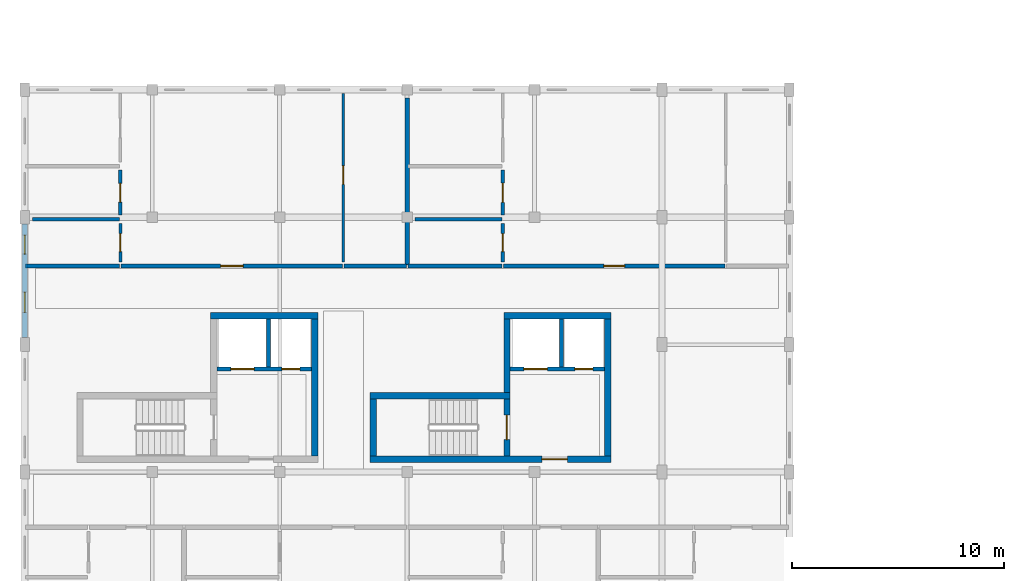
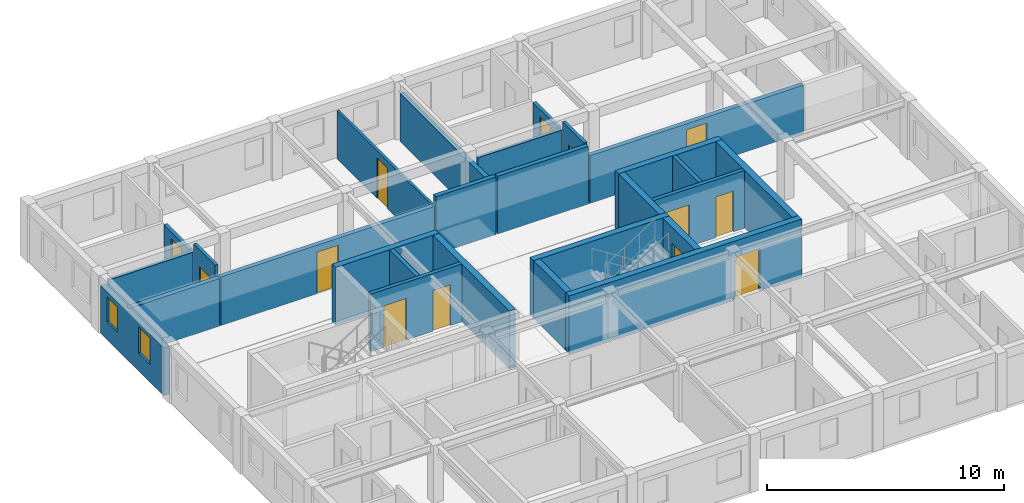
# One storey, part 6 of 23: 27 walls, 13 doors, 2 windows, 15 openings.
"""IFC4 building model written with IfcOpenShell, lengths in metres."""

import ifcopenshell
import ifcopenshell.guid

model = None  # the IFC model being written
_history = None  # IfcOwnerHistory: only IFC2X3 demands one
_inside = {}  # id of a spatial element -> (the spatial element, [elements in it])
_under = {}  # id of a project, library or spatial element -> (it, [spatial elements below it])
_declared = {}  # id of a project -> (the project, [libraries it declares])
_typed = {}  # id of a type object -> (the type object, [elements of that type])
_made_of = {}  # id of a material, layer set ... -> (it, [elements and type objects made of it])


def new_model(schema):
    """Start an empty IFC model of exactly this schema.

    Asked for "IFC4X3", IfcOpenShell would pick the latest addendum, in which some entities
    have other attributes; the version numbers below select the first issue.
    IFC2X3 requires an IfcOwnerHistory on every rooted entity: one is made here for all.
    """
    global model, _history
    if schema == "IFC4X3":
        model = ifcopenshell.file(schema_version=(4, 3, 0, 0))
    else:
        model = ifcopenshell.file(schema=schema)
    _inside.clear()
    _under.clear()
    _declared.clear()
    _typed.clear()
    _made_of.clear()
    _history = None
    if model.schema == "IFC2X3":
        org = make("IfcOrganization", Name="unknown")
        user = make(
            "IfcPersonAndOrganization",
            ThePerson=make("IfcPerson", FamilyName="unknown"),
            TheOrganization=org,
        )
        app = make(
            "IfcApplication",
            ApplicationDeveloper=org,
            Version="unknown",
            ApplicationFullName="unknown",
            ApplicationIdentifier="unknown",
        )
        _history = make(
            "IfcOwnerHistory",
            OwningUser=user,
            OwningApplication=app,
            ChangeAction="ADDED",
            CreationDate=0,
        )
    return model


def make(cls, **values):
    """One entity of the class cls with the attributes given. An attribute that is None is left unset."""
    return model.create_entity(
        cls, **{name: value for name, value in values.items() if value is not None}
    )


def rooted(cls, **values):
    """An entity with a GlobalId (a new one), such as an element, a storey or a relation."""
    return make(cls, GlobalId=ifcopenshell.guid.new(), OwnerHistory=_history, **values)


def si_unit(unit_type, name, prefix=None):
    """IfcSIUnit, for example si_unit("LENGTHUNIT", "METRE", prefix="MILLI")."""
    return make("IfcSIUnit", UnitType=unit_type, Prefix=prefix, Name=name)


def assignment(units):
    """IfcUnitAssignment: the units of a project."""
    return None if units is None else make("IfcUnitAssignment", Units=units)


def point(xyz):
    """IfcCartesianPoint."""
    return None if xyz is None else make("IfcCartesianPoint", Coordinates=xyz)


def direction(xyz):
    """IfcDirection."""
    return None if xyz is None else make("IfcDirection", DirectionRatios=xyz)


def frame(location, z_axis=None, x_axis=None):
    """IfcAxis2Placement3D, a coordinate frame: its origin and axes. An axis left out is left unset."""
    return make(
        "IfcAxis2Placement3D",
        Location=point(location),
        Axis=direction(z_axis),
        RefDirection=direction(x_axis),
    )


def frame_2d(location, x_axis=None):
    """IfcAxis2Placement2D, a coordinate frame in the plane: its origin and x axis."""
    return make(
        "IfcAxis2Placement2D", Location=point(location), RefDirection=direction(x_axis)
    )


def origin():
    """The frame at (0, 0, 0) with its axes left unset."""
    return frame((0.0, 0.0, 0.0))


def place(relative_to, where):
    """IfcLocalPlacement: puts the frame where relative to a parent placement (None: the world)."""
    return make(
        "IfcLocalPlacement", PlacementRelTo=relative_to, RelativePlacement=where
    )


def context(
    kind, dimensions, precision=None, world=None, true_north=None, identifier=None
):
    """IfcGeometricRepresentationContext, for example the 3D "Model" context."""
    return make(
        "IfcGeometricRepresentationContext",
        ContextIdentifier=identifier,
        ContextType=kind,
        CoordinateSpaceDimension=dimensions,
        Precision=precision,
        WorldCoordinateSystem=world,
        TrueNorth=true_north,
    )


def subcontext(parent, identifier, kind, view, scale=None):
    """IfcGeometricRepresentationSubContext, for example "Body" below "Model"."""
    return make(
        "IfcGeometricRepresentationSubContext",
        ContextIdentifier=identifier,
        ContextType=kind,
        ParentContext=parent,
        TargetScale=scale,
        TargetView=view,
    )


def project(units=None, contexts=None):
    """IfcProject with its units and contexts."""
    return rooted(
        "IfcProject",
        Name="project",
        RepresentationContexts=contexts,
        UnitsInContext=assignment(units),
    )


def spatial(cls, under=None, at=None, **own):
    """A site, building, storey or space (cls), placed at a placement, below another one or the project."""
    s = rooted(cls, ObjectPlacement=at, **own)
    if under is not None:
        _under.setdefault(under.id(), (under, []))[1].append(s)
    return s


def profile(cls, at=None, kind="AREA", **sizes):
    """A parametric profile (cls). Its sizes go by their IFC names, for example OverallWidth=200.0."""
    return make(cls, ProfileType=kind, Position=at, **sizes)


def rectangle(**sizes):
    """IfcRectangleProfileDef."""
    return profile("IfcRectangleProfileDef", **sizes)


def extrude(swept, where, along, depth):
    """IfcExtrudedAreaSolid: the profile swept, set in the frame where, extruded along a direction by depth."""
    return make(
        "IfcExtrudedAreaSolid",
        SweptArea=swept,
        Position=where,
        ExtrudedDirection=direction(along),
        Depth=depth,
    )


def shape(context_of_items, identifier, shape_type, items):
    """IfcShapeRepresentation: the items that make up one representation, for example the "Body"."""
    return make(
        "IfcShapeRepresentation",
        ContextOfItems=context_of_items,
        RepresentationIdentifier=identifier,
        RepresentationType=shape_type,
        Items=items,
    )


def material(Name=None, Category=None):
    """IfcMaterial."""
    return make("IfcMaterial", Name=Name, Category=Category)


def layer(
    of_material, thickness, ventilated=None, Name=None, Category=None, Priority=None
):
    """IfcMaterialLayer: one layer of a wall or slab, of a material (None: an air gap)."""
    return make(
        "IfcMaterialLayer",
        Material=of_material,
        LayerThickness=thickness,
        IsVentilated=ventilated,
        Name=Name,
        Category=Category,
        Priority=Priority,
    )


def layer_set(layers, Name=None):
    """IfcMaterialLayerSet."""
    return make("IfcMaterialLayerSet", MaterialLayers=layers, LayerSetName=Name)


def made_of(thing, what):
    """Note that an element or type object is made of a material, layer set ...; save() writes the relation."""
    if what is not None:
        _made_of.setdefault(what.id(), (what, []))[1].append(thing)
    return thing


def type_object(cls, material=None, **own):
    """A type object (cls), such as IfcWallType, which elements share."""
    return made_of(rooted(cls, **own), material)


def element(
    cls,
    number,
    at=None,
    inside=None,
    cuts=None,
    type_object=None,
    material=None,
    context=None,
    identifier="Body",
    shape_type=None,
    held_by="IfcProductDefinitionShape",
    body=None,
    shapes=None,
    **own,
):
    """One element of the class cls, such as IfcWall. Its Tag is "e" and its number.

    at: its placement. inside: the storey or other place that contains it. cuts: it is an
    opening in that element (IfcRelVoidsElement). A single representation is given by context,
    identifier, shape_type and body (its items); several are given by shapes. held_by: the class
    of the entity that holds the representations. save() writes the other relations.
    """
    e = rooted(cls, Tag="e%d" % number, ObjectPlacement=at, **own)
    if body is not None:
        shapes = [shape(context, identifier, shape_type, body)]
    if shapes is not None:
        e.Representation = make(held_by, Representations=shapes)
    if inside is not None:
        _inside.setdefault(inside.id(), (inside, []))[1].append(e)
    if cuts is not None:
        rooted(
            "IfcRelVoidsElement", RelatingBuildingElement=cuts, RelatedOpeningElement=e
        )
    if type_object is not None:
        _typed.setdefault(type_object.id(), (type_object, []))[1].append(e)
    return made_of(e, material)


def fill(opening, filler):
    """IfcRelFillsElement: the door or window that sits in an opening."""
    return rooted(
        "IfcRelFillsElement",
        RelatingOpeningElement=opening,
        RelatedBuildingElement=filler,
    )


def aggregate(whole, parts):
    """IfcRelAggregates: a whole, such as a stair, and the parts it consists of."""
    return rooted("IfcRelAggregates", RelatingObject=whole, RelatedObjects=parts)


def save(model, path):
    """Write the relations noted so far, then the file.

    IfcRelAggregates (storeys below a building ...), IfcRelContainedInSpatialStructure (elements
    in a storey), IfcRelDefinesByType, IfcRelAssociatesMaterial and IfcRelDeclares: one each for
    every whole, place, type object, material and project.
    """
    for whole, parts in _under.values():
        aggregate(whole, parts)
    for where, things in _inside.values():
        rooted(
            "IfcRelContainedInSpatialStructure",
            RelatedElements=things,
            RelatingStructure=where,
        )
    for kind, things in _typed.values():
        rooted("IfcRelDefinesByType", RelatedObjects=things, RelatingType=kind)
    for what, things in _made_of.values():
        rooted("IfcRelAssociatesMaterial", RelatedObjects=things, RelatingMaterial=what)
    for by, libraries in _declared.values():
        rooted("IfcRelDeclares", RelatingContext=by, RelatedDefinitions=libraries)
    model.write(path)


model = new_model("IFC4")

# Units and contexts
model_context = context("Model", 3, precision=1e-05, world=origin(), true_north=direction((0.0, 1.0)))
body_context = subcontext(model_context, "Body", "Model", "MODEL_VIEW")
ifc_project = project(units=[si_unit("LENGTHUNIT", "METRE"), si_unit("AREAUNIT", "SQUARE_METRE"), si_unit("VOLUMEUNIT", "CUBIC_METRE"), si_unit("PLANEANGLEUNIT", "RADIAN"), si_unit("MASSUNIT", "GRAM", prefix="KILO"), si_unit("POWERUNIT", "WATT"), si_unit("THERMODYNAMICTEMPERATUREUNIT", "KELVIN")], contexts=[model_context])

# Site, building, storey
site_placement = place(None, origin())
site = spatial("IfcSite", under=ifc_project, at=site_placement, CompositionType="ELEMENT")
building_placement = place(site_placement, origin())
building = spatial("IfcBuilding", under=site, at=building_placement, Name="Ruvembo Vaulted Housing Court", CompositionType="ELEMENT")
storey_placement = place(building_placement, frame((0.0, 0.0, 26.89990234375)))
storey = spatial("IfcBuildingStorey", under=building, at=storey_placement, Name="L08", CompositionType="ELEMENT", Elevation=26.89990234375)

# Walls
ifc_material_1 = material(Name="Concrete C35/45", Category="concrete")
ifc_layer_1 = layer(ifc_material_1, 0.300048828125, Name="Concrete C35/45")
ifc_layer_set_1 = layer_set([ifc_layer_1], Name="Concrete C35/45")
wall_type_1 = type_object("IfcWallType", Name="WL-CORE-300", PredefinedType="SHEAR", material=ifc_layer_set_1)
wall_1_placement = place(storey_placement, frame((13.800048828125, 25.35009765625, 0.0), z_axis=(0.0, 0.0, 1.0), x_axis=(-1.0, 0.0, 0.0)))
element("IfcWall", 1, at=wall_1_placement, inside=storey, type_object=wall_type_1, Name="Core A1 L08 North Shear Wall", PredefinedType="SHEAR", context=body_context, shape_type="SweptSolid", body=[
    extrude(rectangle(XDim=5.050048828125, YDim=0.300048828125, at=frame_2d((2.52490234375, 0.0))), origin(), (0.0, 0.0, 1.0), 2.97998046875),
])
wall_2_placement = place(storey_placement, frame((13.64990234375, 18.75, 0.0), z_axis=(0.0, 0.0, 1.0), x_axis=(0.0, 1.0, 0.0)))
element("IfcWall", 2, at=wall_2_placement, inside=storey, type_object=wall_type_1, Name="Core A1 L08 East Shear Wall", PredefinedType="SHEAR", context=body_context, shape_type="SweptSolid", body=[
    extrude(rectangle(XDim=6.449951171875, YDim=0.300048828125, at=frame_2d((3.22509765625, 0.0))), origin(), (0.0, 0.0, 1.0), 2.97998046875),
])

# Wall, opening, door
wall_3_placement = place(storey_placement, frame((16.25, 18.60009765625, 0.0), z_axis=(0.0, 0.0, 1.0), x_axis=(1.0, 0.0, 0.0)))
wall_3 = element("IfcWall", 3, at=wall_3_placement, inside=storey, type_object=wall_type_1, Name="Core A2 L08 South Shear Wall", PredefinedType="SHEAR", context=body_context, shape_type="SweptSolid", body=[
    extrude(rectangle(XDim=11.35009765625, YDim=0.300048828125, at=frame_2d((5.675048828125, 0.0))), origin(), (0.0, 0.0, 1.0), 2.97998046875),
])
opening_1_placement = place(wall_3_placement, frame((8.10009765625, 0.0, 0.0)))
opening_1 = element("IfcOpeningElement", 4, at=opening_1_placement, cuts=wall_3, Name="Opening LD3", PredefinedType="OPENING", context=body_context, shape_type="SweptSolid", body=[
    extrude(rectangle(XDim=1.199951171875, YDim=2.14990234375, at=frame_2d((0.60009765625, 1.074951171875))), frame((0.0, 0.159912109375, 0.0), z_axis=(0.0, -1.0, 0.0), x_axis=(1.0, 0.0, 0.0)), (0.0, 0.0, 1.0), 0.320068359375),
])
ifc_material_2 = material(Name="Galvanised Painted Steel", Category="steel")
door_type_1 = type_object("IfcDoorType", Name="DR-LOB-1200x2150", OperationType="NOTDEFINED", PredefinedType="DOOR", material=ifc_material_2)
door_1_placement = place(opening_1_placement, origin())
door_1 = element("IfcDoor", 5, at=door_1_placement, inside=storey, type_object=door_type_1, Name="Core A2 L08 Lobby Fire Door", OperationType="SINGLE_SWING_RIGHT", OverallHeight=2.14990234375, OverallWidth=1.199951171875, PredefinedType="DOOR", context=body_context, shape_type="SweptSolid", body=[
    extrude(rectangle(XDim=1.199951171875, YDim=2.14990234375, at=frame_2d((0.60009765625, 1.074951171875))), frame((0.0, 0.02490234375, 0.0), z_axis=(0.0, -1.0, 0.0), x_axis=(1.0, 0.0, 0.0)), (0.0, 0.0, 1.0), 0.050048828125),
])
fill(opening_1, door_1)

# Walls
wall_4_placement = place(storey_placement, frame((22.85009765625, 21.60009765625, 0.0), z_axis=(0.0, 0.0, 1.0), x_axis=(-1.0, 0.0, 0.0)))
element("IfcWall", 6, at=wall_4_placement, inside=storey, type_object=wall_type_1, Name="Core A2 L08 Stair North Shear Wall", PredefinedType="SHEAR", context=body_context, shape_type="SweptSolid", body=[
    extrude(rectangle(XDim=6.60009765625, YDim=0.300048828125, at=frame_2d((3.300048828125, 0.0))), origin(), (0.0, 0.0, 1.0), 2.97998046875),
])
wall_5_placement = place(storey_placement, frame((16.39990234375, 21.449951171875, 0.0), z_axis=(0.0, 0.0, 1.0), x_axis=(0.0, -1.0, 0.0)))
element("IfcWall", 7, at=wall_5_placement, inside=storey, type_object=wall_type_1, Name="Core A2 L08 Stair West Shear Wall", PredefinedType="SHEAR", context=body_context, shape_type="SweptSolid", body=[
    extrude(rectangle(XDim=2.699951171875, YDim=0.300048828125, at=frame_2d((1.35009765625, 0.0))), origin(), (0.0, 0.0, 1.0), 2.97998046875),
])

# Wall, opening, door
wall_6_placement = place(storey_placement, frame((22.699951171875, 18.75, 0.0), z_axis=(0.0, 0.0, 1.0), x_axis=(0.0, 1.0, 0.0)))
wall_6 = element("IfcWall", 8, at=wall_6_placement, inside=storey, type_object=wall_type_1, Name="Core A2 L08 Stair-Lobby Shear Wall", PredefinedType="SHEAR", context=body_context, shape_type="SweptSolid", body=[
    extrude(rectangle(XDim=2.699951171875, YDim=0.300048828125, at=frame_2d((1.35009765625, 0.0))), origin(), (0.0, 0.0, 1.0), 2.97998046875),
])
opening_2_placement = place(wall_6_placement, frame((0.77490234375, 0.0, 0.0)))
opening_2 = element("IfcOpeningElement", 9, at=opening_2_placement, cuts=wall_6, Name="Opening SD1", PredefinedType="OPENING", context=body_context, shape_type="SweptSolid", body=[
    extrude(rectangle(XDim=1.14990234375, YDim=2.14990234375, at=frame_2d((0.574951171875, 1.074951171875))), frame((0.0, 0.159912109375, 0.0), z_axis=(0.0, -1.0, 0.0), x_axis=(1.0, 0.0, 0.0)), (0.0, 0.0, 1.0), 0.320068359375),
])
door_type_2 = type_object("IfcDoorType", Name="DR-STAIR-1150x2150", OperationType="NOTDEFINED", PredefinedType="DOOR", material=ifc_material_2)
door_2_placement = place(opening_2_placement, origin())
door_2 = element("IfcDoor", 10, at=door_2_placement, inside=storey, type_object=door_type_2, Name="Stair ST-A2 L08 Fire Door", OperationType="SINGLE_SWING_LEFT", OverallHeight=2.14990234375, OverallWidth=1.14990234375, PredefinedType="DOOR", context=body_context, shape_type="SweptSolid", body=[
    extrude(rectangle(XDim=1.14990234375, YDim=2.14990234375, at=frame_2d((0.574951171875, 1.074951171875))), frame((0.0, 0.02490234375, 0.0), z_axis=(0.0, -1.0, 0.0), x_axis=(1.0, 0.0, 0.0)), (0.0, 0.0, 1.0), 0.050048828125),
])
fill(opening_2, door_2)

# Walls
wall_7_placement = place(storey_placement, frame((27.60009765625, 25.35009765625, 0.0), z_axis=(0.0, 0.0, 1.0), x_axis=(-1.0, 0.0, 0.0)))
element("IfcWall", 11, at=wall_7_placement, inside=storey, type_object=wall_type_1, Name="Core A2 L08 North Shear Wall", PredefinedType="SHEAR", context=body_context, shape_type="SweptSolid", body=[
    extrude(rectangle(XDim=5.050048828125, YDim=0.300048828125, at=frame_2d((2.52490234375, 0.0))), origin(), (0.0, 0.0, 1.0), 2.97998046875),
])
wall_8_placement = place(storey_placement, frame((27.449951171875, 18.75, 0.0), z_axis=(0.0, 0.0, 1.0), x_axis=(0.0, 1.0, 0.0)))
element("IfcWall", 12, at=wall_8_placement, inside=storey, type_object=wall_type_1, Name="Core A2 L08 East Shear Wall", PredefinedType="SHEAR", context=body_context, shape_type="SweptSolid", body=[
    extrude(rectangle(XDim=6.449951171875, YDim=0.300048828125, at=frame_2d((3.22509765625, 0.0))), origin(), (0.0, 0.0, 1.0), 2.97998046875),
])
wall_9_placement = place(storey_placement, frame((22.699951171875, 21.75, 0.0), z_axis=(0.0, 0.0, 1.0), x_axis=(0.0, 1.0, 0.0)))
element("IfcWall", 13, at=wall_9_placement, inside=storey, type_object=wall_type_1, Name="Core A2 L08 Upper West Shear Wall", PredefinedType="SHEAR", context=body_context, shape_type="SweptSolid", body=[
    extrude(rectangle(XDim=3.449951171875, YDim=0.300048828125, at=frame_2d((1.72509765625, 0.0))), origin(), (0.0, 0.0, 1.0), 2.97998046875),
])
ifc_material_3 = material(Name="Concrete Blockwork 210", Category="masonry")
ifc_layer_2 = layer(ifc_material_3, 0.2099609375, Name="Concrete Blockwork 210")
ifc_layer_set_2 = layer_set([ifc_layer_2], Name="Concrete Blockwork 210")
wall_type_2 = type_object("IfcWallType", Name="WL-CORR-210", PredefinedType="SOLIDWALL", material=ifc_layer_set_2)
wall_10_placement = place(storey_placement, frame((0.0400390625, 27.699951171875, 0.0), z_axis=(0.0, 0.0, 1.0), x_axis=(1.0, 0.0, 0.0)))
element("IfcWall", 14, at=wall_10_placement, inside=storey, type_object=wall_type_2, Name="L08 Flat A-L08-N1 Corridor Wall WL-INT-L08-02049", PredefinedType="SOLIDWALL", context=body_context, shape_type="SweptSolid", body=[
    extrude(rectangle(XDim=4.419921875, YDim=0.2099609375, at=frame_2d((2.2099609375, 0.0))), origin(), (0.0, 0.0, 1.0), 2.462158203125),
])

# Wall, opening, door
wall_11_placement = place(storey_placement, frame((4.5400390625, 27.699951171875, 0.0), z_axis=(0.0, 0.0, 1.0), x_axis=(1.0, 0.0, 0.0)))
wall_11 = element("IfcWall", 15, at=wall_11_placement, inside=storey, type_object=wall_type_2, Name="L08 Flat A-L08-N1 Entrance WL-INT-L08-02050", PredefinedType="SOLIDWALL", context=body_context, shape_type="SweptSolid", body=[
    extrude(rectangle(XDim=10.419921875, YDim=0.2099609375, at=frame_2d((5.2099609375, 0.0))), origin(), (0.0, 0.0, 1.0), 2.508056640625),
])
opening_3_placement = place(wall_11_placement, frame((4.68505859375, 0.0, 0.0)))
opening_3 = element("IfcOpeningElement", 16, at=opening_3_placement, cuts=wall_11, Name="Opening FD3", PredefinedType="OPENING", context=body_context, shape_type="SweptSolid", body=[
    extrude(rectangle(XDim=1.050048828125, YDim=2.14990234375, at=frame_2d((0.52490234375, 1.074951171875))), frame((0.0, 0.114990234375, 0.0), z_axis=(0.0, -1.0, 0.0), x_axis=(1.0, 0.0, 0.0)), (0.0, 0.0, 1.0), 0.22998046875),
])
ifc_material_4 = material(Name="FSC Hardwood and Engineered Timber", Category="wood")
door_type_3 = type_object("IfcDoorType", Name="DR-FLAT-1050x2150", OperationType="NOTDEFINED", PredefinedType="DOOR", material=ifc_material_4)
door_3_placement = place(opening_3_placement, origin())
door_3 = element("IfcDoor", 17, at=door_3_placement, inside=storey, type_object=door_type_3, Name="L08 Flat A-L08-N1 Entrance Door DR-INT-L08-01145", OperationType="SINGLE_SWING_LEFT", OverallHeight=2.14990234375, OverallWidth=1.050048828125, PredefinedType="DOOR", context=body_context, shape_type="SweptSolid", body=[
    extrude(rectangle(XDim=1.050048828125, YDim=2.14990234375, at=frame_2d((0.52490234375, 1.074951171875))), frame((0.0, 0.02490234375, 0.0), z_axis=(0.0, -1.0, 0.0), x_axis=(1.0, 0.0, 0.0)), (0.0, 0.0, 1.0), 0.050048828125),
])
fill(opening_3, door_3)

# Walls
wall_12_placement = place(storey_placement, frame((15.0400390625, 27.699951171875, 0.0), z_axis=(0.0, 0.0, 1.0), x_axis=(1.0, 0.0, 0.0)))
element("IfcWall", 18, at=wall_12_placement, inside=storey, type_object=wall_type_2, Name="L08 Flat A-L08-N1 Corridor Wall 2 WL-INT-L08-02056", PredefinedType="SOLIDWALL", context=body_context, shape_type="SweptSolid", body=[
    extrude(rectangle(XDim=2.919921875, YDim=0.2099609375, at=frame_2d((1.4599609375, 0.0))), origin(), (0.0, 0.0, 1.0), 2.97998046875),
])
wall_13_placement = place(storey_placement, frame((18.0400390625, 27.699951171875, 0.0), z_axis=(0.0, 0.0, 1.0), x_axis=(1.0, 0.0, 0.0)))
element("IfcWall", 19, at=wall_13_placement, inside=storey, type_object=wall_type_2, Name="L08 Flat A-L08-N2 Corridor Wall WL-INT-L08-02058", PredefinedType="SOLIDWALL", context=body_context, shape_type="SweptSolid", body=[
    extrude(rectangle(XDim=4.419921875, YDim=0.2099609375, at=frame_2d((2.2099609375, 0.0))), origin(), (0.0, 0.0, 1.0), 2.97998046875),
])

# Wall, opening, door
wall_14_placement = place(storey_placement, frame((22.5400390625, 27.699951171875, 0.0), z_axis=(0.0, 0.0, 1.0), x_axis=(1.0, 0.0, 0.0)))
wall_14 = element("IfcWall", 20, at=wall_14_placement, inside=storey, type_object=wall_type_2, Name="L08 Flat A-L08-N2 Entrance WL-INT-L08-02059", PredefinedType="SOLIDWALL", context=body_context, shape_type="SweptSolid", body=[
    extrude(rectangle(XDim=10.419921875, YDim=0.2099609375, at=frame_2d((5.2099609375, 0.0))), origin(), (0.0, 0.0, 1.0), 2.462158203125),
])
opening_4_placement = place(wall_14_placement, frame((4.719970703125, 0.0, 0.0)))
opening_4 = element("IfcOpeningElement", 21, at=opening_4_placement, cuts=wall_14, Name="Opening FD2", PredefinedType="OPENING", context=body_context, shape_type="SweptSolid", body=[
    extrude(rectangle(XDim=0.97998046875, YDim=2.14990234375, at=frame_2d((0.489990234375, 1.074951171875))), frame((0.0, 0.114990234375, 0.0), z_axis=(0.0, -1.0, 0.0), x_axis=(1.0, 0.0, 0.0)), (0.0, 0.0, 1.0), 0.22998046875),
])
door_type_4 = type_object("IfcDoorType", Name="DR-FLAT-0980x2150", OperationType="NOTDEFINED", PredefinedType="DOOR", material=ifc_material_4)
door_4_placement = place(opening_4_placement, origin())
door_4 = element("IfcDoor", 22, at=door_4_placement, inside=storey, type_object=door_type_4, Name="L08 Flat A-L08-N2 Entrance Door DR-INT-L08-01150", OperationType="SINGLE_SWING_RIGHT", OverallHeight=2.14990234375, OverallWidth=0.97998046875, PredefinedType="DOOR", context=body_context, shape_type="SweptSolid", body=[
    extrude(rectangle(XDim=0.97998046875, YDim=2.14990234375, at=frame_2d((0.489990234375, 1.074951171875))), frame((0.0, 0.02490234375, 0.0), z_axis=(0.0, -1.0, 0.0), x_axis=(1.0, 0.0, 0.0)), (0.0, 0.0, 1.0), 0.050048828125),
])
fill(opening_4, door_4)

# Wall
ifc_material_5 = material(Name="Acoustic Masonry Demising 220", Category="masonry")
ifc_layer_3 = layer(ifc_material_5, 0.219970703125, Name="Acoustic Masonry Demising 220")
ifc_layer_set_3 = layer_set([ifc_layer_3], Name="Acoustic Masonry Demising 220")
wall_type_3 = type_object("IfcWallType", Name="WL-DEM-200", PredefinedType="SOLIDWALL", material=ifc_layer_set_3)
wall_15_placement = place(storey_placement, frame((18.0, 27.739990234375, 0.0), z_axis=(0.0, 0.0, 1.0), x_axis=(0.0, 1.0, 0.0)))
element("IfcWall", 23, at=wall_15_placement, inside=storey, type_object=wall_type_3, Name="L08 Demising A-L08-N1 WL-INT-L08-02048", PredefinedType="SOLIDWALL", context=body_context, shape_type="SweptSolid", body=[
    extrude(rectangle(XDim=7.8701171875, YDim=0.219970703125, at=frame_2d((3.93505859375, 0.0))), origin(), (0.0, 0.0, 1.0), 2.4580078125),
])

# Wall, openings, windows
ifc_material_6 = material(Name="Rendered Masonry 260", Category="masonry")
ifc_layer_4 = layer(ifc_material_6, 0.260009765625, Name="Rendered Masonry 260")
ifc_layer_set_4 = layer_set([ifc_layer_4], Name="Rendered Masonry 260")
wall_type_4 = type_object("IfcWallType", Name="WL-EXT-260", PredefinedType="STANDARD", material=ifc_layer_set_4)
wall_16_placement = place(storey_placement, frame((0.0, 29.675048828125, 0.0), z_axis=(0.0, 0.0, 1.0), x_axis=(0.0, -1.0, 0.0)))
wall_16 = element("IfcWall", 24, at=wall_16_placement, inside=storey, type_object=wall_type_4, Name="Block A L08 Exterior Wall WEST #2", PredefinedType="STANDARD", context=body_context, shape_type="SweptSolid", body=[
    extrude(rectangle(XDim=5.35009765625, YDim=0.260009765625, at=frame_2d((2.675048828125, 0.0))), origin(), (0.0, 0.0, 1.0), 2.462158203125),
])
opening_5_placement = place(wall_16_placement, frame((0.517578125, 0.0, 0.89990234375)))
opening_5 = element("IfcOpeningElement", 25, at=opening_5_placement, cuts=wall_16, Name="Opening W04", PredefinedType="OPENING", context=body_context, shape_type="SweptSolid", body=[
    extrude(rectangle(XDim=0.89990234375, YDim=1.300048828125, at=frame_2d((0.449951171875, 0.64990234375))), frame((0.0, 0.139892578125, 0.0), z_axis=(0.0, -1.0, 0.0), x_axis=(1.0, 0.0, 0.0)), (0.0, 0.0, 1.0), 0.280029296875),
])
opening_6_placement = place(wall_16_placement, frame((3.20751953125, 0.0, 0.89990234375)))
opening_6 = element("IfcOpeningElement", 26, at=opening_6_placement, cuts=wall_16, Name="Opening W07", PredefinedType="OPENING", context=body_context, shape_type="SweptSolid", body=[
    extrude(rectangle(XDim=0.949951171875, YDim=1.35009765625, at=frame_2d((0.47509765625, 0.675048828125))), frame((0.0, 0.139892578125, 0.0), z_axis=(0.0, -1.0, 0.0), x_axis=(1.0, 0.0, 0.0)), (0.0, 0.0, 1.0), 0.280029296875),
])
ifc_material_7 = material(Name="Double Solar-Control Glazing in Aluminium Frame", Category="aluminium")
window_type_1 = type_object("IfcWindowType", Name="WIN-0900x1300", PartitioningType="SINGLE_PANEL", PredefinedType="WINDOW", material=ifc_material_7)
window_1_placement = place(opening_5_placement, origin())
window_1 = element("IfcWindow", 27, at=window_1_placement, inside=storey, type_object=window_type_1, Name="Block A L08 Window #378", OverallHeight=1.300048828125, OverallWidth=0.89990234375, PartitioningType="SINGLE_PANEL", PredefinedType="WINDOW", context=body_context, shape_type="SweptSolid", body=[
    extrude(rectangle(XDim=0.89990234375, YDim=1.300048828125, at=frame_2d((0.449951171875, 0.64990234375))), frame((0.0, 0.030029296875, 0.0), z_axis=(0.0, -1.0, 0.0), x_axis=(1.0, 0.0, 0.0)), (0.0, 0.0, 1.0), 0.06005859375),
])
fill(opening_5, window_1)
window_type_2 = type_object("IfcWindowType", Name="WIN-0950x1350", PartitioningType="SINGLE_PANEL", PredefinedType="WINDOW", material=ifc_material_7)
window_2_placement = place(opening_6_placement, origin())
window_2 = element("IfcWindow", 28, at=window_2_placement, inside=storey, type_object=window_type_2, Name="Block A L08 Window #379", OverallHeight=1.35009765625, OverallWidth=0.949951171875, PartitioningType="SINGLE_PANEL", PredefinedType="WINDOW", context=body_context, shape_type="SweptSolid", body=[
    extrude(rectangle(XDim=0.949951171875, YDim=1.35009765625, at=frame_2d((0.47509765625, 0.675048828125))), frame((0.0, 0.030029296875, 0.0), z_axis=(0.0, -1.0, 0.0), x_axis=(1.0, 0.0, 0.0)), (0.0, 0.0, 1.0), 0.06005859375),
])
fill(opening_6, window_2)

# Wall, opening, door
ifc_material_8 = material(Name="Plasterboard Stud Partition 125", Category="gypsum")
ifc_layer_5 = layer(ifc_material_8, 0.125, Name="Plasterboard Stud Partition 125")
ifc_layer_set_5 = layer_set([ifc_layer_5], Name="Plasterboard Stud Partition 125")
wall_type_5 = type_object("IfcWallType", Name="WL-PART-125", PredefinedType="PARTITIONING", material=ifc_layer_set_5)
wall_17_placement = place(storey_placement, frame((15.0, 27.889892578125, 0.0), z_axis=(0.0, 0.0, 1.0), x_axis=(0.0, 1.0, 0.0)))
wall_17 = element("IfcWall", 29, at=wall_17_placement, inside=storey, type_object=wall_type_5, Name="L08 Flat A-L08-N1 Bedroom 2 WL-INT-L08-02057", PredefinedType="PARTITIONING", context=body_context, shape_type="SweptSolid", body=[
    extrude(rectangle(XDim=7.920166015625, YDim=0.125, at=frame_2d((3.9599609375, 0.0))), origin(), (0.0, 0.0, 1.0), 2.462158203125),
])
opening_7_placement = place(wall_17_placement, frame((3.64990234375, 0.0, 0.0)))
opening_7 = element("IfcOpeningElement", 30, at=opening_7_placement, cuts=wall_17, Name="Opening ID3", PredefinedType="OPENING", context=body_context, shape_type="SweptSolid", body=[
    extrude(rectangle(XDim=0.8798828125, YDim=2.10009765625, at=frame_2d((0.43994140625, 1.050048828125))), frame((0.0, 0.072509765625, 0.0), z_axis=(0.0, -1.0, 0.0), x_axis=(1.0, 0.0, 0.0)), (0.0, 0.0, 1.0), 0.14501953125),
])
door_type_5 = type_object("IfcDoorType", Name="DR-ROOM-0880x2100", OperationType="NOTDEFINED", PredefinedType="DOOR", material=ifc_material_4)
door_5_placement = place(opening_7_placement, origin())
door_5 = element("IfcDoor", 31, at=door_5_placement, inside=storey, type_object=door_type_5, Name="L08 Flat A-L08-N1 Bedroom 2 Door DR-INT-L08-01149", OperationType="SINGLE_SWING_LEFT", OverallHeight=2.10009765625, OverallWidth=0.8798828125, PredefinedType="DOOR", context=body_context, shape_type="SweptSolid", body=[
    extrude(rectangle(XDim=0.8798828125, YDim=2.10009765625, at=frame_2d((0.43994140625, 1.050048828125))), frame((0.0, 0.02490234375, 0.0), z_axis=(0.0, -1.0, 0.0), x_axis=(1.0, 0.0, 0.0)), (0.0, 0.0, 1.0), 0.050048828125),
])
fill(opening_7, door_5)

ifc_material_9 = material(Name="Moisture-Resistant Wet Partition 150", Category="gypsum")
ifc_layer_6 = layer(ifc_material_9, 0.14990234375, Name="Moisture-Resistant Wet Partition 150")
ifc_layer_set_6 = layer_set([ifc_layer_6], Name="Moisture-Resistant Wet Partition 150")
wall_type_6 = type_object("IfcWallType", Name="WL-PART-150", PredefinedType="PARTITIONING", material=ifc_layer_set_6)
wall_18_placement = place(storey_placement, frame((4.5, 27.889892578125, 0.0), z_axis=(0.0, 0.0, 1.0), x_axis=(0.0, 1.0, 0.0)))
wall_18 = element("IfcWall", 32, at=wall_18_placement, inside=storey, type_object=wall_type_6, Name="L08 Flat A-L08-N1 Bathroom WL-INT-L08-02053", PredefinedType="PARTITIONING", context=body_context, shape_type="SweptSolid", body=[
    extrude(rectangle(XDim=1.820068359375, YDim=0.14990234375, at=frame_2d((0.91015625, 0.0))), origin(), (0.0, 0.0, 1.0), 2.97998046875),
])
opening_8_placement = place(wall_18_placement, frame((0.485107421875, 0.0, 0.0)))
opening_8 = element("IfcOpeningElement", 33, at=opening_8_placement, cuts=wall_18, Name="Opening ID2", PredefinedType="OPENING", context=body_context, shape_type="SweptSolid", body=[
    extrude(rectangle(XDim=0.85009765625, YDim=2.10009765625, at=frame_2d((0.425048828125, 1.050048828125))), frame((0.0, 0.0849609375, 0.0), z_axis=(0.0, -1.0, 0.0), x_axis=(1.0, 0.0, 0.0)), (0.0, 0.0, 1.0), 0.169921875),
])
door_type_6 = type_object("IfcDoorType", Name="DR-WET-0850x2100", OperationType="NOTDEFINED", PredefinedType="DOOR", material=ifc_material_4)
door_6_placement = place(opening_8_placement, origin())
door_6 = element("IfcDoor", 34, at=door_6_placement, inside=storey, type_object=door_type_6, Name="L08 Flat A-L08-N1 Bathroom Door DR-INT-L08-01148", OperationType="SINGLE_SWING_RIGHT", OverallHeight=2.10009765625, OverallWidth=0.85009765625, PredefinedType="DOOR", context=body_context, shape_type="SweptSolid", body=[
    extrude(rectangle(XDim=0.85009765625, YDim=2.10009765625, at=frame_2d((0.425048828125, 1.050048828125))), frame((0.0, 0.02490234375, 0.0), z_axis=(0.0, -1.0, 0.0), x_axis=(1.0, 0.0, 0.0)), (0.0, 0.0, 1.0), 0.050048828125),
])
fill(opening_8, door_6)

# Wall
wall_19_placement = place(storey_placement, frame((0.360107421875, 29.89990234375, 0.0), z_axis=(0.0, 0.0, 1.0), x_axis=(1.0, 0.0, 0.0)))
element("IfcWall", 35, at=wall_19_placement, inside=storey, type_object=wall_type_6, Name="L08 Flat A-L08-N1 Wet Wall 2 WL-INT-L08-02055", PredefinedType="PARTITIONING", context=body_context, shape_type="SweptSolid", body=[
    extrude(rectangle(XDim=4.099853515625, YDim=0.14990234375, at=frame_2d((2.0498046875, 0.0))), origin(), (0.0, 0.0, 1.0), 2.462158203125),
])

# Wall, opening, door
wall_20_placement = place(storey_placement, frame((22.5, 27.889892578125, 0.0), z_axis=(0.0, 0.0, 1.0), x_axis=(0.0, 1.0, 0.0)))
wall_20 = element("IfcWall", 36, at=wall_20_placement, inside=storey, type_object=wall_type_6, Name="L08 Flat A-L08-N2 Bathroom WL-INT-L08-02062", PredefinedType="PARTITIONING", context=body_context, shape_type="SweptSolid", body=[
    extrude(rectangle(XDim=1.820068359375, YDim=0.14990234375, at=frame_2d((0.91015625, 0.0))), origin(), (0.0, 0.0, 1.0), 2.97998046875),
])
opening_9_placement = place(wall_20_placement, frame((0.485107421875, 0.0, 0.0)))
opening_9 = element("IfcOpeningElement", 37, at=opening_9_placement, cuts=wall_20, Name="Opening ID2", PredefinedType="OPENING", context=body_context, shape_type="SweptSolid", body=[
    extrude(rectangle(XDim=0.85009765625, YDim=2.10009765625, at=frame_2d((0.425048828125, 1.050048828125))), frame((0.0, 0.0849609375, 0.0), z_axis=(0.0, -1.0, 0.0), x_axis=(1.0, 0.0, 0.0)), (0.0, 0.0, 1.0), 0.169921875),
])
door_7_placement = place(opening_9_placement, origin())
door_7 = element("IfcDoor", 38, at=door_7_placement, inside=storey, type_object=door_type_6, Name="L08 Flat A-L08-N2 Bathroom Door DR-INT-L08-01153", OperationType="SINGLE_SWING_LEFT", OverallHeight=2.10009765625, OverallWidth=0.85009765625, PredefinedType="DOOR", context=body_context, shape_type="SweptSolid", body=[
    extrude(rectangle(XDim=0.85009765625, YDim=2.10009765625, at=frame_2d((0.425048828125, 1.050048828125))), frame((0.0, 0.02490234375, 0.0), z_axis=(0.0, -1.0, 0.0), x_axis=(1.0, 0.0, 0.0)), (0.0, 0.0, 1.0), 0.050048828125),
])
fill(opening_9, door_7)

# Wall
wall_21_placement = place(storey_placement, frame((18.360107421875, 29.89990234375, 0.0), z_axis=(0.0, 0.0, 1.0), x_axis=(1.0, 0.0, 0.0)))
element("IfcWall", 39, at=wall_21_placement, inside=storey, type_object=wall_type_6, Name="L08 Flat A-L08-N2 Wet Wall 2 WL-INT-L08-02064", PredefinedType="PARTITIONING", context=body_context, shape_type="SweptSolid", body=[
    extrude(rectangle(XDim=4.099853515625, YDim=0.14990234375, at=frame_2d((2.0498046875, 0.0))), origin(), (0.0, 0.0, 1.0), 2.462158203125),
])

# Wall, opening, door
ifc_material_10 = material(Name="Acoustic Service Chase Wall 160", Category="gypsum")
ifc_layer_7 = layer(ifc_material_10, 0.159912109375, Name="Acoustic Service Chase Wall 160")
ifc_layer_set_7 = layer_set([ifc_layer_7], Name="Acoustic Service Chase Wall 160")
wall_type_7 = type_object("IfcWallType", Name="WL-PLUMB-160", PredefinedType="PLUMBINGWALL", material=ifc_layer_set_7)
wall_22_placement = place(storey_placement, frame((4.5, 30.090087890625, 0.0), z_axis=(0.0, 0.0, 1.0), x_axis=(0.0, 1.0, 0.0)))
wall_22 = element("IfcWall", 40, at=wall_22_placement, inside=storey, type_object=wall_type_7, Name="L08 Flat A-L08-N1 Kitchen WL-INT-L08-02052", PredefinedType="PLUMBINGWALL", context=body_context, shape_type="SweptSolid", body=[
    extrude(rectangle(XDim=2.119873046875, YDim=0.159912109375, at=frame_2d((1.06005859375, 0.0))), origin(), (0.0, 0.0, 1.0), 2.462158203125),
])
opening_10_placement = place(wall_22_placement, frame((0.6201171875, 0.0, 0.0)))
opening_10 = element("IfcOpeningElement", 41, at=opening_10_placement, cuts=wall_22, Name="Opening ID3", PredefinedType="OPENING", context=body_context, shape_type="SweptSolid", body=[
    extrude(rectangle(XDim=0.8798828125, YDim=2.10009765625, at=frame_2d((0.43994140625, 1.050048828125))), frame((0.0, 0.08984375, 0.0), z_axis=(0.0, -1.0, 0.0), x_axis=(1.0, 0.0, 0.0)), (0.0, 0.0, 1.0), 0.179931640625),
])
door_8_placement = place(opening_10_placement, origin())
door_8 = element("IfcDoor", 42, at=door_8_placement, inside=storey, type_object=door_type_5, Name="L08 Flat A-L08-N1 Kitchen Door DR-INT-L08-01147", OperationType="SINGLE_SWING_LEFT", OverallHeight=2.10009765625, OverallWidth=0.8798828125, PredefinedType="DOOR", context=body_context, shape_type="SweptSolid", body=[
    extrude(rectangle(XDim=0.8798828125, YDim=2.10009765625, at=frame_2d((0.43994140625, 1.050048828125))), frame((0.0, 0.02490234375, 0.0), z_axis=(0.0, -1.0, 0.0), x_axis=(1.0, 0.0, 0.0)), (0.0, 0.0, 1.0), 0.050048828125),
])
fill(opening_10, door_8)

wall_23_placement = place(storey_placement, frame((22.5, 30.090087890625, 0.0), z_axis=(0.0, 0.0, 1.0), x_axis=(0.0, 1.0, 0.0)))
wall_23 = element("IfcWall", 43, at=wall_23_placement, inside=storey, type_object=wall_type_7, Name="L08 Flat A-L08-N2 Kitchen WL-INT-L08-02061", PredefinedType="PLUMBINGWALL", context=body_context, shape_type="SweptSolid", body=[
    extrude(rectangle(XDim=2.119873046875, YDim=0.159912109375, at=frame_2d((1.06005859375, 0.0))), origin(), (0.0, 0.0, 1.0), 2.462158203125),
])
opening_11_placement = place(wall_23_placement, frame((0.610107421875, 0.0, 0.0)))
opening_11 = element("IfcOpeningElement", 44, at=opening_11_placement, cuts=wall_23, Name="Opening ID1", PredefinedType="OPENING", context=body_context, shape_type="SweptSolid", body=[
    extrude(rectangle(XDim=0.89990234375, YDim=2.10009765625, at=frame_2d((0.449951171875, 1.050048828125))), frame((0.0, 0.08984375, 0.0), z_axis=(0.0, -1.0, 0.0), x_axis=(1.0, 0.0, 0.0)), (0.0, 0.0, 1.0), 0.179931640625),
])
door_type_7 = type_object("IfcDoorType", Name="DR-ROOM-0900x2100", OperationType="NOTDEFINED", PredefinedType="DOOR", material=ifc_material_4)
door_9_placement = place(opening_11_placement, origin())
door_9 = element("IfcDoor", 45, at=door_9_placement, inside=storey, type_object=door_type_7, Name="L08 Flat A-L08-N2 Kitchen Door DR-INT-L08-01152", OperationType="SINGLE_SWING_RIGHT", OverallHeight=2.10009765625, OverallWidth=0.89990234375, PredefinedType="DOOR", context=body_context, shape_type="SweptSolid", body=[
    extrude(rectangle(XDim=0.89990234375, YDim=2.10009765625, at=frame_2d((0.449951171875, 1.050048828125))), frame((0.0, 0.02490234375, 0.0), z_axis=(0.0, -1.0, 0.0), x_axis=(1.0, 0.0, 0.0)), (0.0, 0.0, 1.0), 0.050048828125),
])
fill(opening_11, door_9)

# Wall, openings, doors
ifc_material_11 = material(Name="Fire-Rated Masonry Shaft 180", Category="masonry")
ifc_layer_8 = layer(ifc_material_11, 0.179931640625, Name="Fire-Rated Masonry Shaft 180")
ifc_layer_set_8 = layer_set([ifc_layer_8], Name="Fire-Rated Masonry Shaft 180")
wall_type_8 = type_object("IfcWallType", Name="WL-SHAFT-180", PredefinedType="SOLIDWALL", material=ifc_layer_set_8)
wall_24_placement = place(storey_placement, frame((9.050048828125, 22.85009765625, 0.0), z_axis=(0.0, 0.0, 1.0), x_axis=(1.0, 0.0, 0.0)))
wall_24 = element("IfcWall", 46, at=wall_24_placement, inside=storey, type_object=wall_type_8, Name="Core A1 L08 Lift and Riser Front Wall", PredefinedType="SOLIDWALL", context=body_context, shape_type="SweptSolid", body=[
    extrude(rectangle(XDim=4.449951171875, YDim=0.179931640625, at=frame_2d((2.22509765625, 0.0))), origin(), (0.0, 0.0, 1.0), 2.97998046875),
])
opening_12_placement = place(wall_24_placement, frame((0.64990234375, 0.0, 0.0)))
opening_12 = element("IfcOpeningElement", 47, at=opening_12_placement, cuts=wall_24, Name="Opening LD-FL-A1-L08", PredefinedType="OPENING", context=body_context, shape_type="SweptSolid", body=[
    extrude(rectangle(XDim=1.10009765625, YDim=2.14990234375, at=frame_2d((0.550048828125, 1.074951171875))), frame((0.0, 0.099853515625, 0.0), z_axis=(0.0, -1.0, 0.0), x_axis=(1.0, 0.0, 0.0)), (0.0, 0.0, 1.0), 0.199951171875),
])
opening_13_placement = place(wall_24_placement, frame((3.050048828125, 0.0, 0.0)))
opening_13 = element("IfcOpeningElement", 48, at=opening_13_placement, cuts=wall_24, Name="Opening RD1", PredefinedType="OPENING", context=body_context, shape_type="SweptSolid", body=[
    extrude(rectangle(XDim=0.85009765625, YDim=2.10009765625, at=frame_2d((0.425048828125, 1.050048828125))), frame((0.0, 0.099853515625, 0.0), z_axis=(0.0, -1.0, 0.0), x_axis=(1.0, 0.0, 0.0)), (0.0, 0.0, 1.0), 0.199951171875),
])
ifc_material_12 = material(Name="Brushed Stainless Steel 304", Category="steel")
door_type_8 = type_object("IfcDoorType", Name="DR-LIFT-1100x2150", OperationType="NOTDEFINED", PredefinedType="DOOR", material=ifc_material_12)
door_10_placement = place(opening_12_placement, origin())
door_10 = element("IfcDoor", 49, at=door_10_placement, inside=storey, type_object=door_type_8, Name="Lift FL-A1 L08 Sliding Landing Door", OperationType="SLIDING_TO_LEFT", OverallHeight=2.14990234375, OverallWidth=1.10009765625, PredefinedType="DOOR", context=body_context, shape_type="SweptSolid", body=[
    extrude(rectangle(XDim=1.10009765625, YDim=2.14990234375, at=frame_2d((0.550048828125, 1.074951171875))), frame((0.0, 0.02490234375, 0.0), z_axis=(0.0, -1.0, 0.0), x_axis=(1.0, 0.0, 0.0)), (0.0, 0.0, 1.0), 0.050048828125),
])
fill(opening_12, door_10)
door_type_9 = type_object("IfcDoorType", Name="DR-RISER-0850x2100", OperationType="NOTDEFINED", PredefinedType="DOOR", material=ifc_material_2)
door_11_placement = place(opening_13_placement, frame((0.85009765625, 0.0, 0.0), z_axis=(0.0, 0.0, 1.0), x_axis=(-1.0, 0.0, 0.0)))
door_11 = element("IfcDoor", 50, at=door_11_placement, inside=storey, type_object=door_type_9, Name="Core A1 L08 Service Riser Door", OperationType="SINGLE_SWING_RIGHT", OverallHeight=2.10009765625, OverallWidth=0.85009765625, PredefinedType="DOOR", context=body_context, shape_type="SweptSolid", body=[
    extrude(rectangle(XDim=0.85009765625, YDim=2.10009765625, at=frame_2d((0.425048828125, 1.050048828125))), frame((0.0, 0.02490234375, 0.0), z_axis=(0.0, -1.0, 0.0), x_axis=(1.0, 0.0, 0.0)), (0.0, 0.0, 1.0), 0.050048828125),
])
fill(opening_13, door_11)

# Wall
wall_25_placement = place(storey_placement, frame((11.469970703125, 22.93994140625, 0.0), z_axis=(0.0, 0.0, 1.0), x_axis=(0.0, 1.0, 0.0)))
element("IfcWall", 51, at=wall_25_placement, inside=storey, type_object=wall_type_8, Name="Core A1 L08 Shaft-Riser Divider Wall", PredefinedType="SOLIDWALL", context=body_context, shape_type="SweptSolid", body=[
    extrude(rectangle(XDim=2.260009765625, YDim=0.179931640625, at=frame_2d((1.1298828125, 0.0))), origin(), (0.0, 0.0, 1.0), 2.97998046875),
])

# Wall, openings, doors
wall_26_placement = place(storey_placement, frame((22.85009765625, 22.85009765625, 0.0), z_axis=(0.0, 0.0, 1.0), x_axis=(1.0, 0.0, 0.0)))
wall_26 = element("IfcWall", 52, at=wall_26_placement, inside=storey, type_object=wall_type_8, Name="Core A2 L08 Lift and Riser Front Wall", PredefinedType="SOLIDWALL", context=body_context, shape_type="SweptSolid", body=[
    extrude(rectangle(XDim=4.449951171875, YDim=0.179931640625, at=frame_2d((2.22509765625, 0.0))), origin(), (0.0, 0.0, 1.0), 2.97998046875),
])
opening_14_placement = place(wall_26_placement, frame((0.64990234375, 0.0, 0.0)))
opening_14 = element("IfcOpeningElement", 53, at=opening_14_placement, cuts=wall_26, Name="Opening LD-FL-A2-L08", PredefinedType="OPENING", context=body_context, shape_type="SweptSolid", body=[
    extrude(rectangle(XDim=1.10009765625, YDim=2.14990234375, at=frame_2d((0.550048828125, 1.074951171875))), frame((0.0, 0.099853515625, 0.0), z_axis=(0.0, -1.0, 0.0), x_axis=(1.0, 0.0, 0.0)), (0.0, 0.0, 1.0), 0.199951171875),
])
opening_15_placement = place(wall_26_placement, frame((3.050048828125, 0.0, 0.0)))
opening_15 = element("IfcOpeningElement", 54, at=opening_15_placement, cuts=wall_26, Name="Opening RD1", PredefinedType="OPENING", context=body_context, shape_type="SweptSolid", body=[
    extrude(rectangle(XDim=0.85009765625, YDim=2.10009765625, at=frame_2d((0.425048828125, 1.050048828125))), frame((0.0, 0.099853515625, 0.0), z_axis=(0.0, -1.0, 0.0), x_axis=(1.0, 0.0, 0.0)), (0.0, 0.0, 1.0), 0.199951171875),
])
door_12_placement = place(opening_14_placement, origin())
door_12 = element("IfcDoor", 55, at=door_12_placement, inside=storey, type_object=door_type_8, Name="Lift FL-A2 L08 Sliding Landing Door", OperationType="SLIDING_TO_LEFT", OverallHeight=2.14990234375, OverallWidth=1.10009765625, PredefinedType="DOOR", context=body_context, shape_type="SweptSolid", body=[
    extrude(rectangle(XDim=1.10009765625, YDim=2.14990234375, at=frame_2d((0.550048828125, 1.074951171875))), frame((0.0, 0.02490234375, 0.0), z_axis=(0.0, -1.0, 0.0), x_axis=(1.0, 0.0, 0.0)), (0.0, 0.0, 1.0), 0.050048828125),
])
fill(opening_14, door_12)
door_13_placement = place(opening_15_placement, frame((0.85009765625, 0.0, 0.0), z_axis=(0.0, 0.0, 1.0), x_axis=(-1.0, 0.0, 0.0)))
door_13 = element("IfcDoor", 56, at=door_13_placement, inside=storey, type_object=door_type_9, Name="Core A2 L08 Service Riser Door", OperationType="SINGLE_SWING_RIGHT", OverallHeight=2.10009765625, OverallWidth=0.85009765625, PredefinedType="DOOR", context=body_context, shape_type="SweptSolid", body=[
    extrude(rectangle(XDim=0.85009765625, YDim=2.10009765625, at=frame_2d((0.425048828125, 1.050048828125))), frame((0.0, 0.02490234375, 0.0), z_axis=(0.0, -1.0, 0.0), x_axis=(1.0, 0.0, 0.0)), (0.0, 0.0, 1.0), 0.050048828125),
])
fill(opening_15, door_13)

# Wall
wall_27_placement = place(storey_placement, frame((25.27001953125, 22.93994140625, 0.0), z_axis=(0.0, 0.0, 1.0), x_axis=(0.0, 1.0, 0.0)))
element("IfcWall", 57, at=wall_27_placement, inside=storey, type_object=wall_type_8, Name="Core A2 L08 Shaft-Riser Divider Wall", PredefinedType="SOLIDWALL", context=body_context, shape_type="SweptSolid", body=[
    extrude(rectangle(XDim=2.260009765625, YDim=0.179931640625, at=frame_2d((1.1298828125, 0.0))), origin(), (0.0, 0.0, 1.0), 2.97998046875),
])

save(model, "model.ifc")
